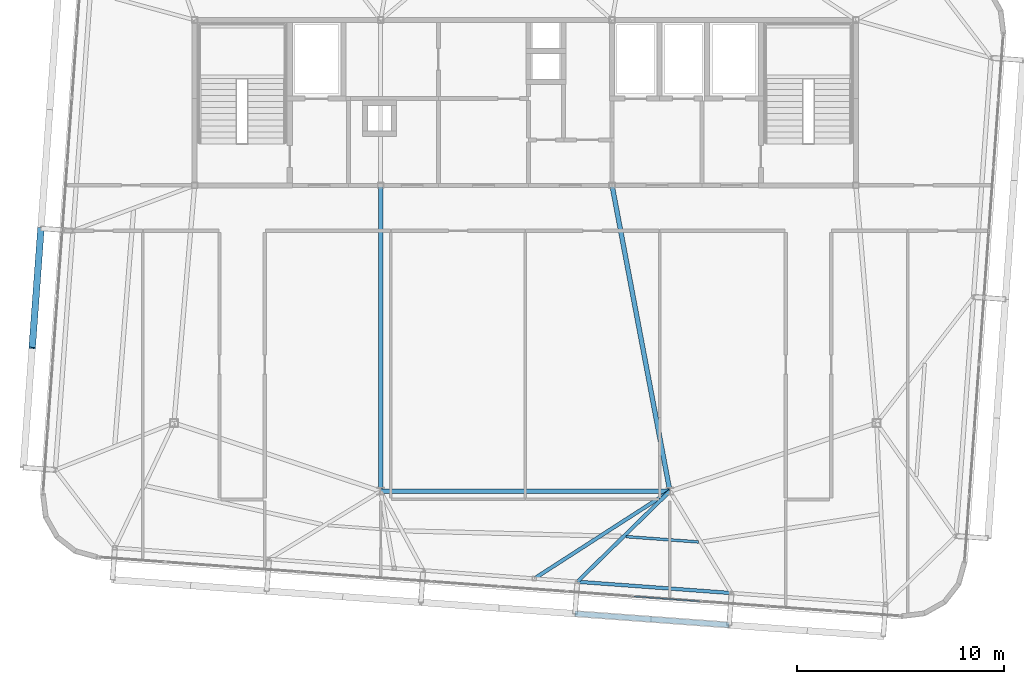
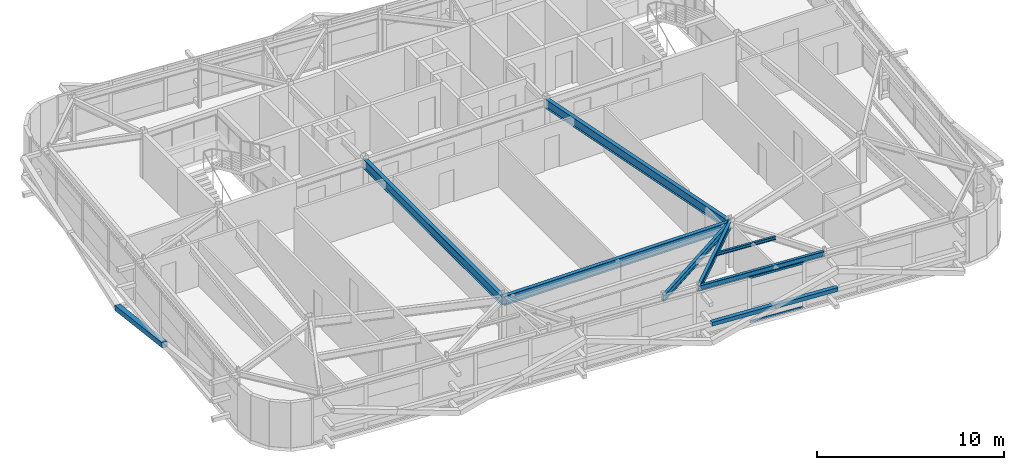
# One storey, part 14 of 42: 7 beams, 4 members, 1 element without a shape of its own.
"""IFC4 building model written with IfcOpenShell, lengths in metres."""

from ifc_helpers import new_model, si_unit, direction, frame, origin, origin_2d, place, context, subcontext, project, spatial, hollow_rectangle, i_section, extrude, source, transform, mapped, material, layer, layer_set, material_profile, profile_set, type_object, element, aggregate, save


model = new_model("IFC4")

# Units and contexts
model_context = context("Model", 3, precision=1e-05, world=origin(), true_north=direction((0.0, 1.0)))
body_context = subcontext(model_context, "Body", "Model", "MODEL_VIEW")
ifc_project = project(units=[si_unit("LENGTHUNIT", "METRE"), si_unit("AREAUNIT", "SQUARE_METRE"), si_unit("VOLUMEUNIT", "CUBIC_METRE"), si_unit("PLANEANGLEUNIT", "RADIAN"), si_unit("MASSUNIT", "GRAM", prefix="KILO")], contexts=[model_context])

# Site, building, storey
site_placement = place(None, origin())
site = spatial("IfcSite", under=ifc_project, at=site_placement, CompositionType="ELEMENT")
building_placement = place(site_placement, origin())
building = spatial("IfcBuilding", under=site, at=building_placement, Name="Taldren Reach Tower", CompositionType="ELEMENT")
storey_placement = place(building_placement, frame((0.0, 0.0, 214.550048828125)))
storey = spatial("IfcBuildingStorey", under=building, at=storey_placement, Name="L65", CompositionType="ELEMENT", Elevation=214.550048828125)

# Beams
ifc_material_1 = material(Name="Steel Gr 350 (350PLUS)", Category="steel")
ifc_material_profile_1 = material_profile(ifc_material_1, i_section(OverallWidth=0.22802734375, OverallDepth=0.60205078125, WebThickness=0.010498046875, FlangeThickness=0.014892578125, at=origin_2d()), Name="610UB101")
ifc_profile_set_1 = profile_set([ifc_material_profile_1], Name="Steel Gr 350 (350PLUS)")
beam_type_1 = type_object("IfcBeamType", Name="BM-UB610B", PredefinedType="BEAM", material=ifc_profile_set_1)
shared_shape_1 = source(origin(), body_context, "Body", "SweptSolid", [
    extrude(i_section(OverallWidth=0.22802734375, OverallDepth=0.60205078125, WebThickness=0.010498046875, FlangeThickness=0.014892578125, at=origin_2d()), origin(), (0.0, 0.0, 1.0), 14.0),
])
beam_1_placement = place(storey_placement, frame((28.0, 9.199951171875, 2.62890625), z_axis=(1.0, 0.0, 0.0), x_axis=(0.0, 1.0, 0.0)))
element("IfcBeam", 1, at=beam_1_placement, inside=storey, type_object=beam_type_1, Name="Core-spine girder L65-SP11", PredefinedType="BEAM", context=body_context, shape_type="MappedRepresentation", body=[
    mapped(shared_shape_1, transform((0.0, 0.0, 0.0), scale=1.0)),
])
shared_shape_2 = source(origin(), body_context, "Body", "SweptSolid", [
    extrude(i_section(OverallWidth=0.22802734375, OverallDepth=0.60205078125, WebThickness=0.010498046875, FlangeThickness=0.014892578125, at=origin_2d()), origin(), (0.0, 0.0, 1.0), 14.800048828125),
])
beam_2_placement = place(storey_placement, frame((28.0, 24.0, 2.62890625), z_axis=(0.0, -1.0, 0.0), x_axis=(1.0, 0.0, 0.0)))
element("IfcBeam", 2, at=beam_2_placement, inside=storey, type_object=beam_type_1, Name="Core-spine girder L65-SP14", PredefinedType="BEAM", context=body_context, shape_type="MappedRepresentation", body=[
    mapped(shared_shape_2, transform((0.0, 0.0, 0.0), scale=1.0)),
])
shared_shape_3 = source(origin(), body_context, "Body", "SweptSolid", [
    extrude(i_section(OverallWidth=0.22802734375, OverallDepth=0.60205078125, WebThickness=0.010498046875, FlangeThickness=0.014892578125, at=origin_2d()), origin(), (0.0, 0.0, 1.0), 15.0625),
])
beam_3_placement = place(storey_placement, frame((39.199951171875, 24.0, 2.62890625), z_axis=(0.185894205668, -0.982569765614, 0.0), x_axis=(0.982569765614, 0.185894205668, 0.0)))
element("IfcBeam", 3, at=beam_3_placement, inside=storey, type_object=beam_type_1, Name="Core-spine girder L65-SP15", PredefinedType="BEAM", context=body_context, shape_type="MappedRepresentation", body=[
    mapped(shared_shape_3, transform((0.0, 0.0, 0.0), scale=1.0)),
])
ifc_material_profile_2 = material_profile(ifc_material_1, i_section(OverallWidth=0.172119140625, OverallDepth=0.35888671875, WebThickness=0.008056640625, FlangeThickness=0.012939453125, at=origin_2d()), Name="360UB56.7")
ifc_profile_set_2 = profile_set([ifc_material_profile_2], Name="Steel Gr 350 (350PLUS)")
beam_type_2 = type_object("IfcBeamType", Name="SP-UB360", PredefinedType="SPANDREL", material=ifc_profile_set_2)
shared_shape_4 = source(origin(), body_context, "Body", "SweptSolid", [
    extrude(i_section(OverallWidth=0.172119140625, OverallDepth=0.35888671875, WebThickness=0.008056640625, FlangeThickness=0.012939453125, at=origin_2d()), origin(), (0.0, 0.0, 1.0), 7.479736328125),
])
beam_4_placement = place(storey_placement, frame((37.5205078125, 4.81689453125, 2.75048828125), z_axis=(0.997314045547, -0.073244075215, 0.0), x_axis=(0.073244075215, 0.997314045547, 0.0)))
element("IfcBeam", 4, at=beam_4_placement, inside=storey, type_object=beam_type_2, Name="Perimeter spandrel B5 S4-S5 L65", PredefinedType="SPANDREL", context=body_context, shape_type="MappedRepresentation", body=[
    mapped(shared_shape_4, transform((0.0, 0.0, 0.0), scale=1.0)),
])
ifc_material_profile_3 = material_profile(ifc_material_1, i_section(OverallWidth=0.177978515625, OverallDepth=0.406005859375, WebThickness=0.0078125, FlangeThickness=0.0126953125, at=origin_2d()), Name="410UB59.7")
ifc_profile_set_3 = profile_set([ifc_material_profile_3], Name="Steel Gr 350 (350PLUS)")
beam_type_3 = type_object("IfcBeamType", Name="BM-UB410", PredefinedType="BEAM", material=ifc_profile_set_3)
shared_shape_5 = source(origin(), body_context, "Body", "SweptSolid", [
    extrude(i_section(OverallWidth=0.177978515625, OverallDepth=0.406005859375, WebThickness=0.0078125, FlangeThickness=0.0126953125, at=origin_2d()), origin(), (0.0, 0.0, 1.0), 7.80908203125),
])
beam_5_placement = place(storey_placement, frame((42.0, 9.199951171875, 2.72705078125), z_axis=(-0.840564391699, -0.541711642304, 0.0), x_axis=(0.541711642304, -0.840564391699, 0.0)))
element("IfcBeam", 5, at=beam_5_placement, inside=storey, type_object=beam_type_3, Name="Primary floor girder B5-PJ2 L65", PredefinedType="BEAM", context=body_context, shape_type="MappedRepresentation", body=[
    mapped(shared_shape_5, transform((0.0, 0.0, 0.0), scale=1.0)),
])
shared_shape_6 = source(origin(), body_context, "Body", "SweptSolid", [
    extrude(i_section(OverallWidth=0.177978515625, OverallDepth=0.406005859375, WebThickness=0.0078125, FlangeThickness=0.0126953125, at=origin_2d()), origin(), (0.0, 0.0, 1.0), 6.26708984375),
])
beam_6_placement = place(storey_placement, frame((42.0, 9.199951171875, 2.72705078125), z_axis=(-0.71475866888, -0.699371178461, 0.0), x_axis=(0.699371178461, -0.71475866888, 0.0)))
element("IfcBeam", 6, at=beam_6_placement, inside=storey, type_object=beam_type_3, Name="Primary floor girder B5-S4 L65", PredefinedType="BEAM", context=body_context, shape_type="MappedRepresentation", body=[
    mapped(shared_shape_6, transform((0.0, 0.0, 0.0), scale=1.0)),
])
ifc_material_2 = material(Name="Steel Gr 300 (300PLUS, 300 MPa)", Category="steel")
ifc_material_profile_4 = material_profile(ifc_material_2, i_section(OverallWidth=0.134033203125, OverallDepth=0.20703125, WebThickness=0.00634765625, FlangeThickness=0.009521484375, at=origin_2d()), Name="200UB29.8")
ifc_profile_set_4 = profile_set([ifc_material_profile_4], Name="Steel Gr 300 (300PLUS, 300 MPa)")
beam_type_4 = type_object("IfcBeamType", Name="JS-UB200", PredefinedType="JOIST", material=ifc_profile_set_4)
shared_shape_7 = source(origin(), body_context, "Body", "SweptSolid", [
    extrude(i_section(OverallWidth=0.134033203125, OverallDepth=0.20703125, WebThickness=0.00634765625, FlangeThickness=0.009521484375, at=origin_2d()), origin(), (0.0, 0.0, 1.0), 3.51220703125),
])
beam_7_placement = place(storey_placement, frame((39.878662109375, 6.999755859375, 2.826416015625), z_axis=(0.997312333235, -0.073267386856, 0.0), x_axis=(0.073267386856, 0.997312333235, 0.0)))
element("IfcBeam", 7, at=beam_7_placement, inside=storey, type_object=beam_type_4, Name="Secondary floor joist B5 J4 L65", PredefinedType="JOIST", context=body_context, shape_type="MappedRepresentation", body=[
    mapped(shared_shape_7, transform((0.0, 0.0, 0.0), scale=1.0)),
])

# Members
ifc_material_3 = material(Name="Steel Gr 350 (C350L0)", Category="steel")
ifc_material_profile_5 = material_profile(ifc_material_3, hollow_rectangle(XDim=0.25, YDim=0.25, WallThickness=0.010009765625, at=origin_2d()), Name="250x250x10.0SHS")
ifc_profile_set_5 = profile_set([ifc_material_profile_5], Name="Steel Gr 350 (C350L0)")
member_type_1 = type_object("IfcMemberType", Name="MB-POST250", PredefinedType="POST", material=ifc_profile_set_5)
shared_shape_8 = source(origin(), body_context, "Body", "SweptSolid", [
    extrude(hollow_rectangle(XDim=0.25, YDim=0.25, WallThickness=0.010009765625, at=origin_2d()), origin(), (0.0, 0.0, 1.0), 7.479736328125),
])
member_1_placement = place(storey_placement, frame((37.406982421875, 3.27099609375, 1.43505859375), z_axis=(0.997314045547, -0.073244075215, 0.0), x_axis=(0.073244075215, 0.997314045547, 0.0)))
element("IfcMember", 8, at=member_1_placement, inside=storey, type_object=member_type_1, Name="Exoskeleton mid-height ring chord B5-S4 L65", PredefinedType="POST", context=body_context, shape_type="MappedRepresentation", body=[
    mapped(shared_shape_8, transform((0.0, 0.0, 0.0), scale=1.0)),
])
ifc_material_4 = material(Name="Steel Gr 450 (C450L0)", Category="steel")
ifc_material_profile_6 = material_profile(ifc_material_4, hollow_rectangle(XDim=0.324951171875, YDim=0.324951171875, WallThickness=0.0126953125, at=origin_2d()), Name="325x325x12.7SHS")
ifc_profile_set_6 = profile_set([ifc_material_profile_6], Name="Steel Gr 450 (C450L0)")
member_type_2 = type_object("IfcMemberType", Name="MB-BR324", PredefinedType="BRACE", material=ifc_profile_set_6)
shared_shape_9 = source(origin(), body_context, "Body", "SweptSolid", [
    extrude(hollow_rectangle(XDim=0.324951171875, YDim=0.324951171875, WallThickness=0.0126953125, at=origin_2d()), origin(), (0.0, 0.0, 1.0), 5.926025390625),
])
member_2_placement = place(storey_placement, frame((11.562744140625, 21.913818359375, 0.219970703125), z_axis=(-0.071685935393, -0.976123486939, 0.205046494513), x_axis=(0.997314185625, -0.073242167855, 0.0)))
element("IfcMember", 9, at=member_2_placement, inside=storey, type_object=member_type_2, Name="Exoskeleton Diagrid Brace B5-W1 L65", PredefinedType="BRACE", context=body_context, shape_type="MappedRepresentation", body=[
    mapped(shared_shape_9, transform((0.0, 0.0, 0.0), scale=1.0)),
])

# Curtain wall, members
ifc_material_5 = material(Name="Aluminium and Low-E Glass Unitised System", Category="aluminium")
ifc_layer = layer(ifc_material_5, 0.159912109375)
ifc_layer_set = layer_set([ifc_layer], Name="Aluminium and Low-E Glass Unitised System")
curtain_wall_type = type_object("IfcCurtainWallType", Name="CW-SYS-6", PredefinedType="NOTDEFINED", material=ifc_layer_set)
curtain_wall_placement = place(storey_placement, origin())
curtain_wall = element("IfcCurtainWall", 10, at=curtain_wall_placement, inside=storey, type_object=curtain_wall_type, Name="Unitised curtain wall CW-L65-S", PredefinedType="NOTDEFINED")
ifc_material_6 = material(Name="Anodised Aluminium 6063-T6", Category="aluminium")
ifc_material_profile_7 = material_profile(ifc_material_6, hollow_rectangle(XDim=0.06005859375, YDim=0.135009765625, WallThickness=0.00341796875, at=origin_2d()), Name="ALU-135x60x3.5RHS")
ifc_profile_set_7 = profile_set([ifc_material_profile_7], Name="Anodised Aluminium 6063-T6")
member_type_3 = type_object("IfcMemberType", Name="CW-TRN-150", PredefinedType="USERDEFINED", material=ifc_profile_set_7)
shared_shape_10 = source(origin(), body_context, "Body", "SweptSolid", [
    extrude(hollow_rectangle(XDim=0.06005859375, YDim=0.135009765625, WallThickness=0.00341796875, at=origin_2d()), origin(), (0.0, 0.0, 1.0), 3.175048828125),
])
member_3_placement = place(storey_placement, frame((40.27294921875, 4.103271484375, 0.030029296875), z_axis=(0.99731704481, -0.073203224877, 0.0), x_axis=(0.073203224877, 0.99731704481, 0.0)))
member_3 = element("IfcMember", 11, at=member_3_placement, type_object=member_type_3, Name="CW-6 transom 9.1", ObjectType="TRANSOM", PredefinedType="USERDEFINED", context=body_context, shape_type="MappedRepresentation", body=[
    mapped(shared_shape_10, transform((0.0, 0.0, 0.0), scale=1.0)),
])
member_4_placement = place(storey_placement, frame((40.27294921875, 4.103271484375, 2.89990234375), z_axis=(0.99731704481, -0.073203224877, 0.0), x_axis=(0.073203224877, 0.99731704481, 0.0)))
member_4 = element("IfcMember", 12, at=member_4_placement, type_object=member_type_3, Name="CW-6 transom 9.2", ObjectType="TRANSOM", PredefinedType="USERDEFINED", context=body_context, shape_type="MappedRepresentation", body=[
    mapped(shared_shape_10, transform((0.0, 0.0, 0.0), scale=1.0)),
])
aggregate(curtain_wall, [member_3, member_4])

save(model, "model.ifc")
